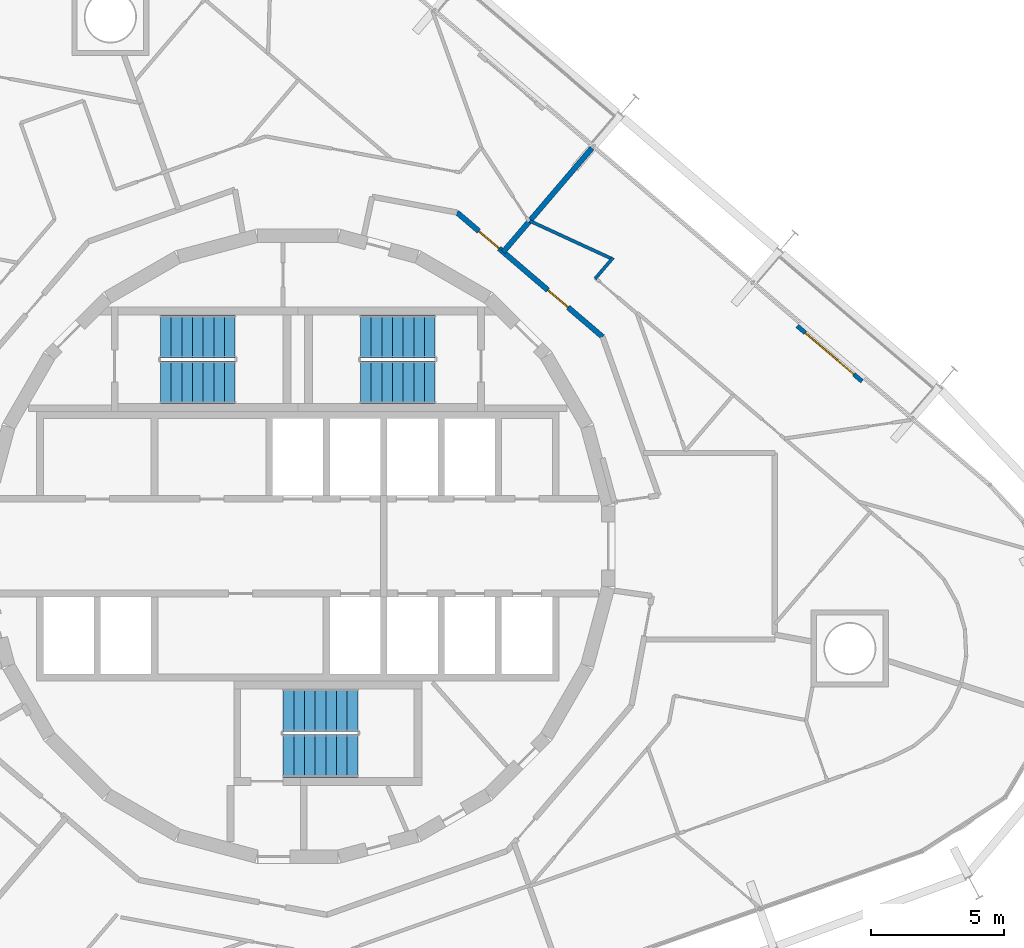
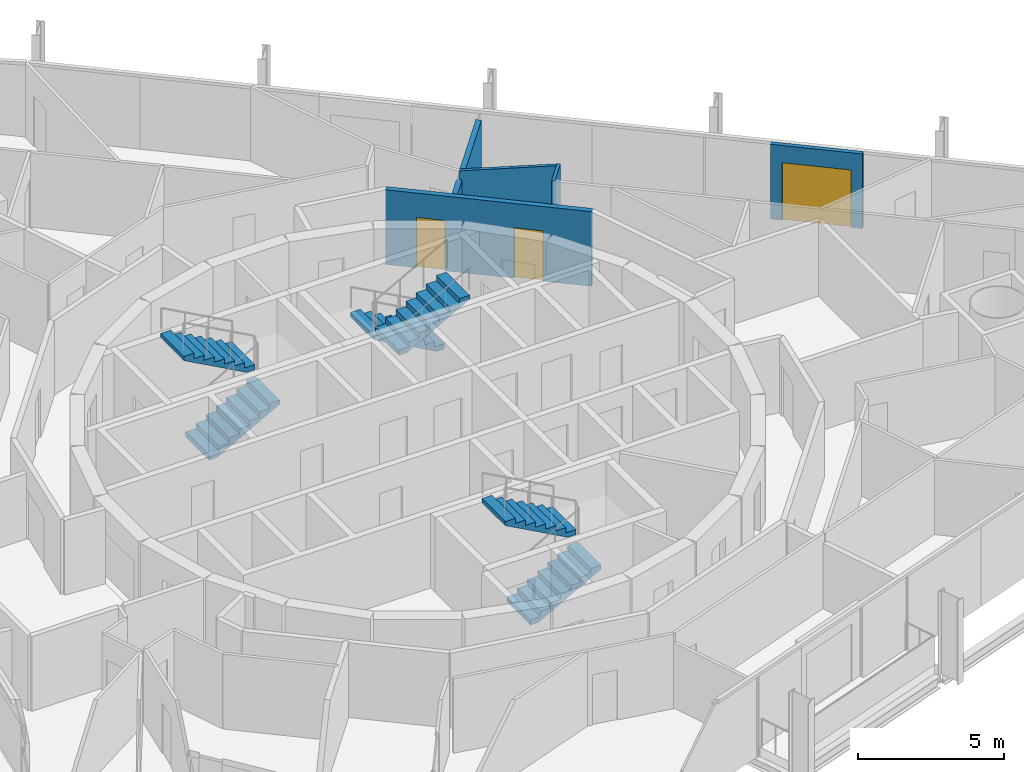
# One storey, part 16 of 17: 6 stair flights, 5 walls, 3 doors, 3 openings, 3 elements without a shape of their own.
"""IFC4 building model written with IfcOpenShell, lengths in metres."""

from ifc_helpers import new_model, si_unit, direction, frame, frame_2d, origin, place, context, subcontext, project, spatial, polyline, rectangle, outline, extrude, material, layer, layer_set, type_object, element, fill, aggregate, save


model = new_model("IFC4")

# Units and contexts
model_context = context("Model", 3, precision=1e-05, world=origin(), true_north=direction((0.0, 1.0)))
body_context = subcontext(model_context, "Body", "Model", "MODEL_VIEW")
ifc_project = project(units=[si_unit("LENGTHUNIT", "METRE"), si_unit("AREAUNIT", "SQUARE_METRE"), si_unit("VOLUMEUNIT", "CUBIC_METRE"), si_unit("PLANEANGLEUNIT", "RADIAN"), si_unit("MASSUNIT", "GRAM", prefix="KILO")], contexts=[model_context])

# Site, building, storey
site_placement = place(None, origin())
site = spatial("IfcSite", under=ifc_project, at=site_placement, CompositionType="ELEMENT")
building_placement = place(site_placement, origin())
building = spatial("IfcBuilding", under=site, at=building_placement, Name="Spindle Arch Residences", CompositionType="ELEMENT")
storey_placement = place(building_placement, frame((0.0, 0.0, 169.199951171875)))
storey = spatial("IfcBuildingStorey", under=building, at=storey_placement, Name="L42", CompositionType="ELEMENT", Elevation=169.199951171875)

# Wall, openings, doors
ifc_material_1 = material(Name="Calcium silicate block, plastered")
ifc_layer_1 = layer(ifc_material_1, 0.199951171875)
ifc_layer_set_1 = layer_set([ifc_layer_1], Name="Corridor wall 200")
wall_type_1 = type_object("IfcWallType", Name="Corridor wall 200", PredefinedType="STANDARD", material=ifc_layer_set_1)
wall_1_placement = place(storey_placement, frame((11.432861328125, 7.857666015625, 0.0), z_axis=(0.0, 0.0, 1.0), x_axis=(-0.760412154545, 0.649440801937, 0.0)))
wall_1 = element("IfcWall", 1, at=wall_1_placement, inside=storey, type_object=wall_type_1, Name="Corridor wall R4B1-W004", PredefinedType="STANDARD", context=body_context, shape_type="SweptSolid", body=[
    extrude(rectangle(XDim=7.180908203125, YDim=0.199951171875, at=frame_2d((3.59033203125, 0.0))), origin(), (0.0, 0.0, 1.0), 3.1201171875),
])
opening_1_placement = place(wall_1_placement, frame((1.699951171875, 0.0, 0.0)))
opening_1 = element("IfcOpeningElement", 2, at=opening_1_placement, cuts=wall_1, Name="Opening R4B1-FD01", PredefinedType="OPENING", context=body_context, shape_type="SweptSolid", body=[
    extrude(rectangle(XDim=1.0, YDim=2.10009765625, at=frame_2d((0.5, 1.050048828125))), frame((0.0, 0.10986328125, 0.0), z_axis=(0.0, -1.0, 0.0), x_axis=(1.0, 0.0, 0.0)), (0.0, 0.0, 1.0), 0.219970703125),
])
opening_2_placement = place(wall_1_placement, frame((5.1005859375, 0.0, 0.0)))
opening_2 = element("IfcOpeningElement", 3, at=opening_2_placement, cuts=wall_1, Name="Opening R4B1-FD02", PredefinedType="OPENING", context=body_context, shape_type="SweptSolid", body=[
    extrude(rectangle(XDim=1.0, YDim=2.10009765625, at=frame_2d((0.5, 1.050048828125))), frame((0.0, 0.10986328125, 0.0), z_axis=(0.0, -1.0, 0.0), x_axis=(1.0, 0.0, 0.0)), (0.0, 0.0, 1.0), 0.219970703125),
])
ifc_material_2 = material(Name="Timber, fire-resisting door set", Category="wood")
door_type_1 = type_object("IfcDoorType", Name="Flat entrance door 1000x2100", OperationType="NOTDEFINED", PredefinedType="DOOR", material=ifc_material_2)
door_1_placement = place(opening_1_placement, origin())
door_1 = element("IfcDoor", 4, at=door_1_placement, inside=storey, type_object=door_type_1, Name="Flat entrance door R4B1-FD01", OperationType="SINGLE_SWING_LEFT", OverallHeight=2.10009765625, OverallWidth=1.0, PredefinedType="DOOR", context=body_context, shape_type="SweptSolid", body=[
    extrude(rectangle(XDim=1.0, YDim=2.10009765625, at=frame_2d((0.5, 1.050048828125))), frame((0.0, 0.02490234375, 0.0), z_axis=(0.0, -1.0, 0.0), x_axis=(1.0, 0.0, 0.0)), (0.0, 0.0, 1.0), 0.050048828125),
])
fill(opening_1, door_1)
door_2_placement = place(opening_2_placement, origin())
door_2 = element("IfcDoor", 5, at=door_2_placement, inside=storey, type_object=door_type_1, Name="Flat entrance door R4B1-FD02", OperationType="SINGLE_SWING_RIGHT", OverallHeight=2.10009765625, OverallWidth=1.0, PredefinedType="DOOR", context=body_context, shape_type="SweptSolid", body=[
    extrude(rectangle(XDim=1.0, YDim=2.10009765625, at=frame_2d((0.5, 1.050048828125))), frame((0.0, 0.02490234375, 0.0), z_axis=(0.0, -1.0, 0.0), x_axis=(1.0, 0.0, 0.0)), (0.0, 0.0, 1.0), 0.050048828125),
])
fill(opening_2, door_2)

# Walls
ifc_material_3 = material(Name="Plasterboard on steel studs", Category="steel")
ifc_layer_2 = layer(ifc_material_3, 0.1201171875)
ifc_layer_set_2 = layer_set([ifc_layer_2], Name="Flat partition 120")
wall_type_2 = type_object("IfcWallType", Name="Flat partition 120", PredefinedType="PARTITIONING", material=ifc_layer_set_2)
wall_2_placement = place(storey_placement, frame((11.152587890625, 10.0341796875, 0.0), z_axis=(0.0, 0.0, 1.0), x_axis=(0.649381401329, 0.760462882466, 0.0)))
element("IfcWall", 6, at=wall_2_placement, inside=storey, type_object=wall_type_2, Name="Flat partition R4B1-W041", PredefinedType="PARTITIONING", context=body_context, shape_type="SweptSolid", body=[
    extrude(rectangle(XDim=1.041748046875, YDim=0.1201171875, at=frame_2d((0.52099609375, 0.0))), origin(), (0.0, 0.0, 1.0), 3.1201171875),
])
wall_3_placement = place(storey_placement, frame((11.790283203125, 10.78076171875, 0.0), z_axis=(0.0, 0.0, 1.0), x_axis=(-0.907999296286, 0.418971691101, 0.0)))
element("IfcWall", 7, at=wall_3_placement, inside=storey, type_object=wall_type_2, Name="Flat partition R4B1-W042", PredefinedType="PARTITIONING", context=body_context, shape_type="SweptSolid", body=[
    extrude(rectangle(XDim=3.4013671875, YDim=0.1201171875, at=frame_2d((1.70068359375, 0.0))), origin(), (0.0, 0.0, 1.0), 3.1201171875),
])
ifc_material_4 = material(Name="Calcium silicate block, plastered")
ifc_layer_3 = layer(ifc_material_4, 0.199951171875)
ifc_layer_set_3 = layer_set([ifc_layer_3], Name="Flat party wall 200 under beam 2730")
wall_type_3 = type_object("IfcWallType", Name="Flat party wall 200 under beam 2730", PredefinedType="STANDARD", material=ifc_layer_set_3)
wall_4_placement = place(storey_placement, frame((11.0400390625, 14.943359375, 0.0), z_axis=(0.0, 0.0, 1.0), x_axis=(-0.649442880087, -0.760410379666, 0.0)))
element("IfcWall", 8, at=wall_4_placement, inside=storey, type_object=wall_type_3, Name="Flat party wall R4B1-W028", PredefinedType="STANDARD", context=body_context, shape_type="SweptSolid", body=[
    extrude(rectangle(XDim=5.1328125, YDim=0.199951171875, at=frame_2d((2.56640625, 0.0))), origin(), (0.0, 0.0, 1.0), 2.72998046875),
])

# Wall, opening, door
ifc_material_5 = material(Name="Non-combustible mineral wool insulated aluminium faced external wall (K0)", Category="aluminium")
ifc_layer_4 = layer(ifc_material_5, 0.159912109375)
ifc_layer_set_4 = layer_set([ifc_layer_4], Name="Insulated external wall panel 160")
wall_type_4 = type_object("IfcWallType", Name="Insulated external wall panel 160", PredefinedType="STANDARD", material=ifc_layer_set_4)
wall_5_placement = place(storey_placement, frame((21.169921875, 6.186279296875, 0.0), z_axis=(0.0, 0.0, 1.0), x_axis=(-0.760359548534, 0.649502391799, 0.0)))
wall_5 = element("IfcWall", 9, at=wall_5_placement, inside=storey, type_object=wall_type_4, Name="External wall L42 bay 6", PredefinedType="STANDARD", context=body_context, shape_type="SweptSolid", body=[
    extrude(rectangle(XDim=3.199951171875, YDim=0.159912109375, at=frame_2d((1.60009765625, 0.0))), origin(), (0.0, 0.0, 1.0), 3.1201171875),
])
opening_3_placement = place(wall_5_placement, frame((0.39990234375, 0.0, 0.0)))
opening_3 = element("IfcOpeningElement", 10, at=opening_3_placement, cuts=wall_5, Name="Opening BD06", PredefinedType="OPENING", context=body_context, shape_type="SweptSolid", body=[
    extrude(rectangle(XDim=2.39990234375, YDim=2.39990234375, at=frame_2d((1.199951171875, 1.199951171875))), frame((0.0, 0.08984375, 0.0), z_axis=(0.0, -1.0, 0.0), x_axis=(1.0, 0.0, 0.0)), (0.0, 0.0, 1.0), 0.179931640625),
])
ifc_material_6 = material(Name="Bronze aluminium frame, tinted double glazing", Category="aluminium")
door_type_2 = type_object("IfcDoorType", Name="Sliding glazed balcony door 2400x2400", OperationType="DOUBLE_DOOR_SLIDING", PredefinedType="DOOR", material=ifc_material_6)
door_3_placement = place(opening_3_placement, origin())
door_3 = element("IfcDoor", 11, at=door_3_placement, inside=storey, type_object=door_type_2, Name="Balcony door BD06", OperationType="DOUBLE_DOOR_SLIDING", OverallHeight=2.39990234375, OverallWidth=2.39990234375, PredefinedType="DOOR", context=body_context, shape_type="SweptSolid", body=[
    extrude(rectangle(XDim=2.39990234375, YDim=2.39990234375, at=frame_2d((1.199951171875, 1.199951171875))), frame((0.0, 0.02490234375, 0.0), z_axis=(0.0, -1.0, 0.0), x_axis=(1.0, 0.0, 0.0)), (0.0, 0.0, 1.0), 0.050048828125),
])
fill(opening_3, door_3)

# Stair, stair flights
ifc_material_7 = material(Name="Concrete C50/60", Category="concrete")
stair_type = type_object("IfcStairType", Name="Exit stair 16 risers", PredefinedType="HALF_TURN_STAIR", material=ifc_material_7)
stair_1_placement = place(storey_placement, origin())
stair_1 = element("IfcStair", 12, at=stair_1_placement, inside=storey, type_object=stair_type, Name="L42 Exit stair ST1", PredefinedType="HALF_TURN_STAIR")
ifc_material_8 = material(Name="Concrete C50/60", Category="concrete")
stair_flight_type = type_object("IfcStairFlightType", Name="Exit stair flight", PredefinedType="STRAIGHT", material=ifc_material_8)
stair_flight_1_placement = place(storey_placement, frame((5.14990234375, 7.8701171875, 0.0), z_axis=(0.0, 0.0, 1.0), x_axis=(-1.0, 0.0, 0.0)))
stair_flight_1 = element("IfcStairFlight", 13, at=stair_flight_1_placement, type_object=stair_flight_type, Name="ST1 flight 1", NumberOfRisers=8, NumberOfTreads=7, PredefinedType="STRAIGHT", RiserHeight=0.21875, TreadLength=0.4, context=body_context, shape_type="SweptSolid", body=[
    extrude(outline(polyline([(0.0, 0.0), (0.0, 0.21875), (0.39990234375, 0.21875), (0.39990234375, 0.4375), (0.800048828125, 0.4375), (0.800048828125, 0.65625), (1.199951171875, 0.65625), (1.199951171875, 0.875), (1.60009765625, 0.875), (1.60009765625, 1.09375), (2.0, 1.09375), (2.0, 1.3125), (2.39990234375, 1.3125), (2.39990234375, 1.53125), (2.800048828125, 1.53125), (2.800048828125, 1.75), (2.800048828125, 1.3603515625), (0.3125, 0.0), (0.0, 0.0)])), frame((0.0, 0.800048828125, 0.0), z_axis=(0.0, -1.0, 0.0), x_axis=(1.0, 0.0, 0.0)), (0.0, 0.0, 1.0), 1.60009765625),
])
stair_flight_2_placement = place(storey_placement, frame((2.35009765625, 6.14990234375, 1.75), z_axis=(0.0, 0.0, 1.0), x_axis=(1.0, 0.0, 0.0)))
stair_flight_2 = element("IfcStairFlight", 14, at=stair_flight_2_placement, type_object=stair_flight_type, Name="ST1 flight 2", NumberOfRisers=8, NumberOfTreads=7, PredefinedType="STRAIGHT", RiserHeight=0.21875, TreadLength=0.4, context=body_context, shape_type="SweptSolid", body=[
    extrude(outline(polyline([(0.0, 0.0), (0.0, 0.21875), (0.39990234375, 0.21875), (0.39990234375, 0.4375), (0.800048828125, 0.4375), (0.800048828125, 0.65625), (1.199951171875, 0.65625), (1.199951171875, 0.875), (1.60009765625, 0.875), (1.60009765625, 1.09375), (2.0, 1.09375), (2.0, 1.3125), (2.39990234375, 1.3125), (2.39990234375, 1.53125), (2.800048828125, 1.53125), (2.800048828125, 1.75), (2.800048828125, 1.3603515625), (0.3125, 0.0), (0.0, 0.0)])), frame((0.0, 0.800048828125, 0.0), z_axis=(0.0, -1.0, 0.0), x_axis=(1.0, 0.0, 0.0)), (0.0, 0.0, 1.0), 1.60009765625),
])
aggregate(stair_1, [stair_flight_1, stair_flight_2])

stair_2_placement = place(storey_placement, origin())
stair_2 = element("IfcStair", 15, at=stair_2_placement, inside=storey, type_object=stair_type, Name="L42 Exit stair ST2", PredefinedType="HALF_TURN_STAIR")
stair_flight_3_placement = place(storey_placement, frame((-5.14990234375, 6.14990234375, 0.0), z_axis=(0.0, 0.0, 1.0), x_axis=(1.0, 0.0, 0.0)))
stair_flight_3 = element("IfcStairFlight", 16, at=stair_flight_3_placement, type_object=stair_flight_type, Name="ST2 flight 1", NumberOfRisers=8, NumberOfTreads=7, PredefinedType="STRAIGHT", RiserHeight=0.21875, TreadLength=0.4, context=body_context, shape_type="SweptSolid", body=[
    extrude(outline(polyline([(0.0, 0.0), (0.0, 0.21875), (0.39990234375, 0.21875), (0.39990234375, 0.4375), (0.800048828125, 0.4375), (0.800048828125, 0.65625), (1.199951171875, 0.65625), (1.199951171875, 0.875), (1.60009765625, 0.875), (1.60009765625, 1.09375), (2.0, 1.09375), (2.0, 1.3125), (2.39990234375, 1.3125), (2.39990234375, 1.53125), (2.800048828125, 1.53125), (2.800048828125, 1.75), (2.800048828125, 1.3603515625), (0.3125, 0.0), (0.0, 0.0)])), frame((0.0, 0.800048828125, 0.0), z_axis=(0.0, -1.0, 0.0), x_axis=(1.0, 0.0, 0.0)), (0.0, 0.0, 1.0), 1.60009765625),
])
stair_flight_4_placement = place(storey_placement, frame((-2.35009765625, 7.8701171875, 1.75), z_axis=(0.0, 0.0, 1.0), x_axis=(-1.0, 0.0, 0.0)))
stair_flight_4 = element("IfcStairFlight", 17, at=stair_flight_4_placement, type_object=stair_flight_type, Name="ST2 flight 2", NumberOfRisers=8, NumberOfTreads=7, PredefinedType="STRAIGHT", RiserHeight=0.21875, TreadLength=0.4, context=body_context, shape_type="SweptSolid", body=[
    extrude(outline(polyline([(0.0, 0.0), (0.0, 0.21875), (0.39990234375, 0.21875), (0.39990234375, 0.4375), (0.800048828125, 0.4375), (0.800048828125, 0.65625), (1.199951171875, 0.65625), (1.199951171875, 0.875), (1.60009765625, 0.875), (1.60009765625, 1.09375), (2.0, 1.09375), (2.0, 1.3125), (2.39990234375, 1.3125), (2.39990234375, 1.53125), (2.800048828125, 1.53125), (2.800048828125, 1.75), (2.800048828125, 1.3603515625), (0.3125, 0.0), (0.0, 0.0)])), frame((0.0, 0.800048828125, 0.0), z_axis=(0.0, -1.0, 0.0), x_axis=(1.0, 0.0, 0.0)), (0.0, 0.0, 1.0), 1.60009765625),
])
aggregate(stair_2, [stair_flight_3, stair_flight_4])

stair_3_placement = place(storey_placement, origin())
stair_3 = element("IfcStair", 18, at=stair_3_placement, inside=storey, type_object=stair_type, Name="L42 Exit stair ST3", PredefinedType="HALF_TURN_STAIR")
stair_flight_5_placement = place(storey_placement, frame((-0.550048828125, -7.8701171875, 0.0), z_axis=(0.0, 0.0, 1.0), x_axis=(1.0, 0.0, 0.0)))
stair_flight_5 = element("IfcStairFlight", 19, at=stair_flight_5_placement, type_object=stair_flight_type, Name="ST3 flight 1", NumberOfRisers=8, NumberOfTreads=7, PredefinedType="STRAIGHT", RiserHeight=0.21875, TreadLength=0.4, context=body_context, shape_type="SweptSolid", body=[
    extrude(outline(polyline([(0.0, 0.0), (0.0, 0.21875), (0.39990234375, 0.21875), (0.39990234375, 0.4375), (0.800048828125, 0.4375), (0.800048828125, 0.65625), (1.199951171875, 0.65625), (1.199951171875, 0.875), (1.60009765625, 0.875), (1.60009765625, 1.09375), (2.0, 1.09375), (2.0, 1.3125), (2.39990234375, 1.3125), (2.39990234375, 1.53125), (2.800048828125, 1.53125), (2.800048828125, 1.75), (2.800048828125, 1.3603515625), (0.3125, 0.0), (0.0, 0.0)])), frame((0.0, 0.800048828125, 0.0), z_axis=(0.0, -1.0, 0.0), x_axis=(1.0, 0.0, 0.0)), (0.0, 0.0, 1.0), 1.60009765625),
])
stair_flight_6_placement = place(storey_placement, frame((2.25, -6.14990234375, 1.75), z_axis=(0.0, 0.0, 1.0), x_axis=(-1.0, 0.0, 0.0)))
stair_flight_6 = element("IfcStairFlight", 20, at=stair_flight_6_placement, type_object=stair_flight_type, Name="ST3 flight 2", NumberOfRisers=8, NumberOfTreads=7, PredefinedType="STRAIGHT", RiserHeight=0.21875, TreadLength=0.4, context=body_context, shape_type="SweptSolid", body=[
    extrude(outline(polyline([(0.0, 0.0), (0.0, 0.21875), (0.39990234375, 0.21875), (0.39990234375, 0.4375), (0.800048828125, 0.4375), (0.800048828125, 0.65625), (1.199951171875, 0.65625), (1.199951171875, 0.875), (1.60009765625, 0.875), (1.60009765625, 1.09375), (2.0, 1.09375), (2.0, 1.3125), (2.39990234375, 1.3125), (2.39990234375, 1.53125), (2.800048828125, 1.53125), (2.800048828125, 1.75), (2.800048828125, 1.3603515625), (0.3125, 0.0), (0.0, 0.0)])), frame((0.0, 0.800048828125, 0.0), z_axis=(0.0, -1.0, 0.0), x_axis=(1.0, 0.0, 0.0)), (0.0, 0.0, 1.0), 1.60009765625),
])
aggregate(stair_3, [stair_flight_5, stair_flight_6])

save(model, "model.ifc")
